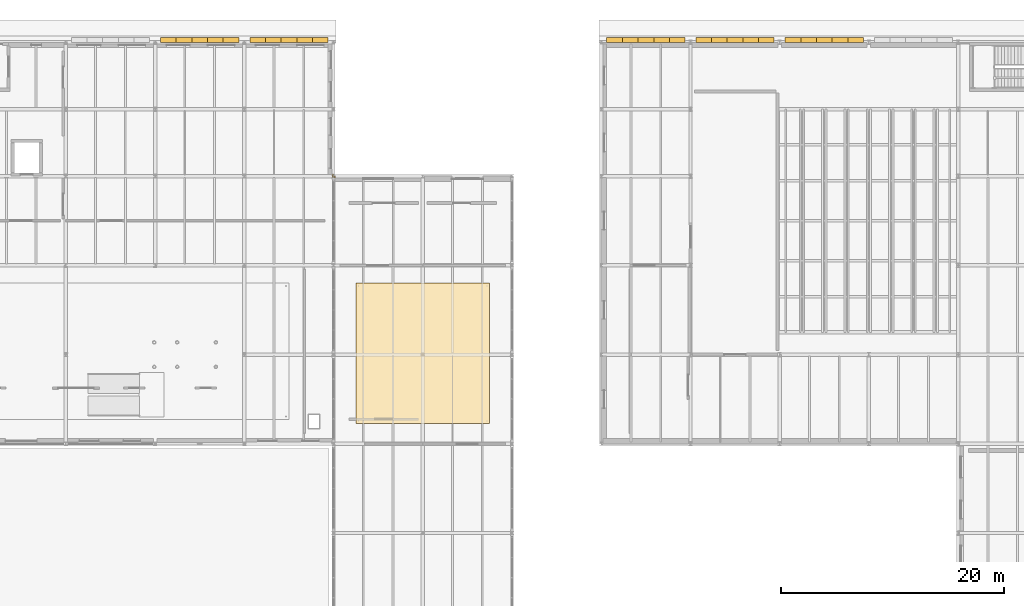
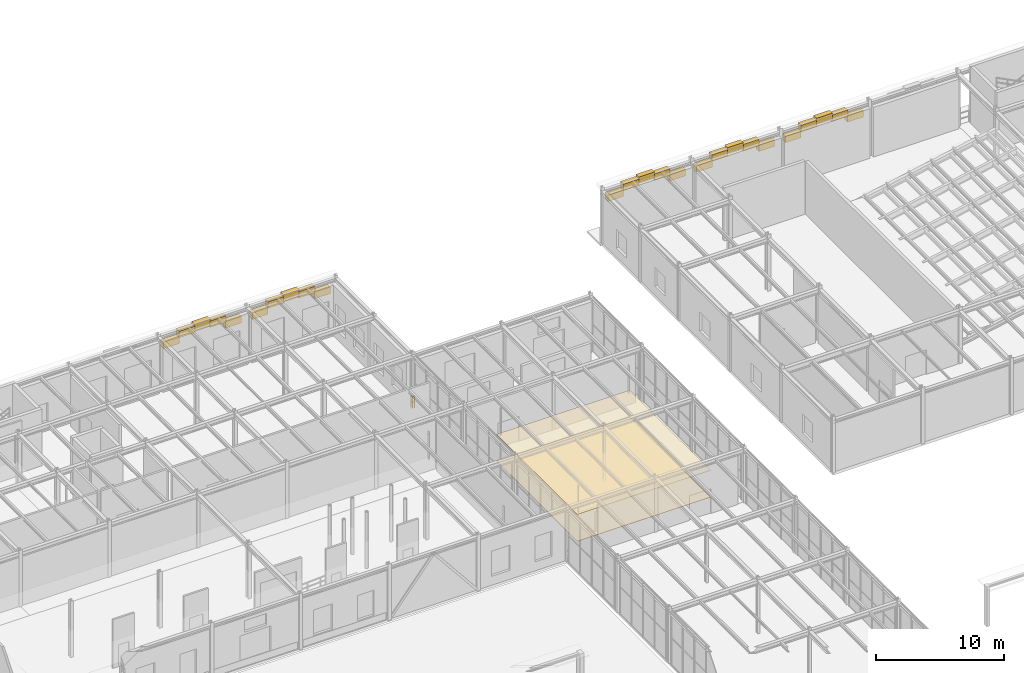
# One storey, part 121 of 129: 27 coverings, 1 railing.
"""IFC4 building model written with IfcOpenShell, lengths in metres."""

import ifcopenshell
import ifcopenshell.guid

model = None  # the IFC model being written
_history = None  # IfcOwnerHistory: only IFC2X3 demands one
_inside = {}  # id of a spatial element -> (the spatial element, [elements in it])
_under = {}  # id of a project, library or spatial element -> (it, [spatial elements below it])
_declared = {}  # id of a project -> (the project, [libraries it declares])
_typed = {}  # id of a type object -> (the type object, [elements of that type])
_made_of = {}  # id of a material, layer set ... -> (it, [elements and type objects made of it])


def new_model(schema):
    """Start an empty IFC model of exactly this schema.

    Asked for "IFC4X3", IfcOpenShell would pick the latest addendum, in which some entities
    have other attributes; the version numbers below select the first issue.
    IFC2X3 requires an IfcOwnerHistory on every rooted entity: one is made here for all.
    """
    global model, _history
    if schema == "IFC4X3":
        model = ifcopenshell.file(schema_version=(4, 3, 0, 0))
    else:
        model = ifcopenshell.file(schema=schema)
    _inside.clear()
    _under.clear()
    _declared.clear()
    _typed.clear()
    _made_of.clear()
    _history = None
    if model.schema == "IFC2X3":
        org = make("IfcOrganization", Name="unknown")
        user = make(
            "IfcPersonAndOrganization",
            ThePerson=make("IfcPerson", FamilyName="unknown"),
            TheOrganization=org,
        )
        app = make(
            "IfcApplication",
            ApplicationDeveloper=org,
            Version="unknown",
            ApplicationFullName="unknown",
            ApplicationIdentifier="unknown",
        )
        _history = make(
            "IfcOwnerHistory",
            OwningUser=user,
            OwningApplication=app,
            ChangeAction="ADDED",
            CreationDate=0,
        )
    return model


def make(cls, **values):
    """One entity of the class cls with the attributes given. An attribute that is None is left unset."""
    return model.create_entity(
        cls, **{name: value for name, value in values.items() if value is not None}
    )


def rooted(cls, **values):
    """An entity with a GlobalId (a new one), such as an element, a storey or a relation."""
    return make(cls, GlobalId=ifcopenshell.guid.new(), OwnerHistory=_history, **values)


def si_unit(unit_type, name, prefix=None):
    """IfcSIUnit, for example si_unit("LENGTHUNIT", "METRE", prefix="MILLI")."""
    return make("IfcSIUnit", UnitType=unit_type, Prefix=prefix, Name=name)


def assignment(units):
    """IfcUnitAssignment: the units of a project."""
    return None if units is None else make("IfcUnitAssignment", Units=units)


def point(xyz):
    """IfcCartesianPoint."""
    return None if xyz is None else make("IfcCartesianPoint", Coordinates=xyz)


def direction(xyz):
    """IfcDirection."""
    return None if xyz is None else make("IfcDirection", DirectionRatios=xyz)


def frame(location, z_axis=None, x_axis=None):
    """IfcAxis2Placement3D, a coordinate frame: its origin and axes. An axis left out is left unset."""
    return make(
        "IfcAxis2Placement3D",
        Location=point(location),
        Axis=direction(z_axis),
        RefDirection=direction(x_axis),
    )


def frame_2d(location, x_axis=None):
    """IfcAxis2Placement2D, a coordinate frame in the plane: its origin and x axis."""
    return make(
        "IfcAxis2Placement2D", Location=point(location), RefDirection=direction(x_axis)
    )


def origin():
    """The frame at (0, 0, 0) with its axes left unset."""
    return frame((0.0, 0.0, 0.0))


def origin_2d():
    """The frame at (0, 0) in the plane with its x axis left unset."""
    return frame_2d((0.0, 0.0))


def place(relative_to, where):
    """IfcLocalPlacement: puts the frame where relative to a parent placement (None: the world)."""
    return make(
        "IfcLocalPlacement", PlacementRelTo=relative_to, RelativePlacement=where
    )


def context(
    kind, dimensions, precision=None, world=None, true_north=None, identifier=None
):
    """IfcGeometricRepresentationContext, for example the 3D "Model" context."""
    return make(
        "IfcGeometricRepresentationContext",
        ContextIdentifier=identifier,
        ContextType=kind,
        CoordinateSpaceDimension=dimensions,
        Precision=precision,
        WorldCoordinateSystem=world,
        TrueNorth=true_north,
    )


def subcontext(parent, identifier, kind, view, scale=None):
    """IfcGeometricRepresentationSubContext, for example "Body" below "Model"."""
    return make(
        "IfcGeometricRepresentationSubContext",
        ContextIdentifier=identifier,
        ContextType=kind,
        ParentContext=parent,
        TargetScale=scale,
        TargetView=view,
    )


def project(units=None, contexts=None):
    """IfcProject with its units and contexts."""
    return rooted(
        "IfcProject",
        Name="project",
        RepresentationContexts=contexts,
        UnitsInContext=assignment(units),
    )


def spatial(cls, under=None, at=None, **own):
    """A site, building, storey or space (cls), placed at a placement, below another one or the project."""
    s = rooted(cls, ObjectPlacement=at, **own)
    if under is not None:
        _under.setdefault(under.id(), (under, []))[1].append(s)
    return s


def polyline(points):
    """IfcPolyline through the points."""
    return make("IfcPolyline", Points=[point(p) for p in points])


def profile(cls, at=None, kind="AREA", **sizes):
    """A parametric profile (cls). Its sizes go by their IFC names, for example OverallWidth=200.0."""
    return make(cls, ProfileType=kind, Position=at, **sizes)


def rectangle(**sizes):
    """IfcRectangleProfileDef."""
    return profile("IfcRectangleProfileDef", **sizes)


def circle(**sizes):
    """IfcCircleProfileDef."""
    return profile("IfcCircleProfileDef", **sizes)


def outline(outer, holes=None, kind="AREA"):
    """IfcArbitraryClosedProfileDef: a profile drawn as a closed curve; with holes, ...WithVoids."""
    if holes is None:
        return make("IfcArbitraryClosedProfileDef", ProfileType=kind, OuterCurve=outer)
    return make(
        "IfcArbitraryProfileDefWithVoids",
        ProfileType=kind,
        OuterCurve=outer,
        InnerCurves=holes,
    )


def extrude(swept, where, along, depth):
    """IfcExtrudedAreaSolid: the profile swept, set in the frame where, extruded along a direction by depth."""
    return make(
        "IfcExtrudedAreaSolid",
        SweptArea=swept,
        Position=where,
        ExtrudedDirection=direction(along),
        Depth=depth,
    )


def shape(context_of_items, identifier, shape_type, items):
    """IfcShapeRepresentation: the items that make up one representation, for example the "Body"."""
    return make(
        "IfcShapeRepresentation",
        ContextOfItems=context_of_items,
        RepresentationIdentifier=identifier,
        RepresentationType=shape_type,
        Items=items,
    )


def material(Name=None, Category=None):
    """IfcMaterial."""
    return make("IfcMaterial", Name=Name, Category=Category)


def layer(
    of_material, thickness, ventilated=None, Name=None, Category=None, Priority=None
):
    """IfcMaterialLayer: one layer of a wall or slab, of a material (None: an air gap)."""
    return make(
        "IfcMaterialLayer",
        Material=of_material,
        LayerThickness=thickness,
        IsVentilated=ventilated,
        Name=Name,
        Category=Category,
        Priority=Priority,
    )


def layer_set(layers, Name=None):
    """IfcMaterialLayerSet."""
    return make("IfcMaterialLayerSet", MaterialLayers=layers, LayerSetName=Name)


def made_of(thing, what):
    """Note that an element or type object is made of a material, layer set ...; save() writes the relation."""
    if what is not None:
        _made_of.setdefault(what.id(), (what, []))[1].append(thing)
    return thing


def type_object(cls, material=None, **own):
    """A type object (cls), such as IfcWallType, which elements share."""
    return made_of(rooted(cls, **own), material)


def element(
    cls,
    number,
    at=None,
    inside=None,
    cuts=None,
    type_object=None,
    material=None,
    context=None,
    identifier="Body",
    shape_type=None,
    held_by="IfcProductDefinitionShape",
    body=None,
    shapes=None,
    **own,
):
    """One element of the class cls, such as IfcWall. Its Tag is "e" and its number.

    at: its placement. inside: the storey or other place that contains it. cuts: it is an
    opening in that element (IfcRelVoidsElement). A single representation is given by context,
    identifier, shape_type and body (its items); several are given by shapes. held_by: the class
    of the entity that holds the representations. save() writes the other relations.
    """
    e = rooted(cls, Tag="e%d" % number, ObjectPlacement=at, **own)
    if body is not None:
        shapes = [shape(context, identifier, shape_type, body)]
    if shapes is not None:
        e.Representation = make(held_by, Representations=shapes)
    if inside is not None:
        _inside.setdefault(inside.id(), (inside, []))[1].append(e)
    if cuts is not None:
        rooted(
            "IfcRelVoidsElement", RelatingBuildingElement=cuts, RelatedOpeningElement=e
        )
    if type_object is not None:
        _typed.setdefault(type_object.id(), (type_object, []))[1].append(e)
    return made_of(e, material)


def aggregate(whole, parts):
    """IfcRelAggregates: a whole, such as a stair, and the parts it consists of."""
    return rooted("IfcRelAggregates", RelatingObject=whole, RelatedObjects=parts)


def save(model, path):
    """Write the relations noted so far, then the file.

    IfcRelAggregates (storeys below a building ...), IfcRelContainedInSpatialStructure (elements
    in a storey), IfcRelDefinesByType, IfcRelAssociatesMaterial and IfcRelDeclares: one each for
    every whole, place, type object, material and project.
    """
    for whole, parts in _under.values():
        aggregate(whole, parts)
    for where, things in _inside.values():
        rooted(
            "IfcRelContainedInSpatialStructure",
            RelatedElements=things,
            RelatingStructure=where,
        )
    for kind, things in _typed.values():
        rooted("IfcRelDefinesByType", RelatedObjects=things, RelatingType=kind)
    for what, things in _made_of.values():
        rooted("IfcRelAssociatesMaterial", RelatedObjects=things, RelatingMaterial=what)
    for by, libraries in _declared.values():
        rooted("IfcRelDeclares", RelatingContext=by, RelatedDefinitions=libraries)
    model.write(path)


model = new_model("IFC4")

# Units and contexts
model_context = context("Model", 3, precision=1e-05, world=origin(), true_north=direction((0.0, 1.0)))
body_context = subcontext(model_context, "Body", "Model", "MODEL_VIEW")
ifc_project = project(units=[si_unit("LENGTHUNIT", "METRE"), si_unit("AREAUNIT", "SQUARE_METRE"), si_unit("VOLUMEUNIT", "CUBIC_METRE"), si_unit("PLANEANGLEUNIT", "RADIAN"), si_unit("MASSUNIT", "GRAM", prefix="KILO")], contexts=[model_context])

# Site, building, storey
site_placement = place(None, origin())
site = spatial("IfcSite", under=ifc_project, at=site_placement, CompositionType="ELEMENT")
building_placement = place(site_placement, origin())
building = spatial("IfcBuilding", under=site, at=building_placement, Name="Sundkrona Museum", CompositionType="ELEMENT")
storey_placement = place(building_placement, origin())
storey = spatial("IfcBuildingStorey", under=building, at=storey_placement, Name="L00", CompositionType="ELEMENT", Elevation=0.0)

# Coverings
ifc_material_1 = material(Name="Perforated Acoustic Gypsum and Mineral Wool Ceiling", Category="other")
ifc_layer_1 = layer(ifc_material_1, 0.0400390625)
ifc_layer_set_1 = layer_set([ifc_layer_1], Name="Perforated Acoustic Gypsum and Mineral Wool Ceiling")
covering_type_1 = type_object("IfcCoveringType", Name="COV-CEIL-AC", PredefinedType="CEILING", material=ifc_layer_set_1)
covering_1_placement = place(storey_placement, frame((0.0, 0.0, 2.550048828125)))
element("IfcCovering", 1, at=covering_1_placement, inside=storey, type_object=covering_type_1, Name="L00 Public Natural History Study Room Acoustic Ceiling", PredefinedType="CEILING", context=body_context, shape_type="SweptSolid", body=[
    extrude(outline(polyline([(82.0, 79.800048828125), (94.0, 79.800048828125), (94.0, 92.39990234375), (82.0, 92.39990234375), (82.0, 79.800048828125)])), origin(), (0.0, 0.0, 1.0), 0.0400390625),
])
ifc_material_2 = material(Name="Frost-Resistant Vitrified Stoneware Mosaic Cladding", Category="masonry")
ifc_layer_2 = layer(ifc_material_2, 0.044921875)
ifc_layer_set_2 = layer_set([ifc_layer_2], Name="Frost-Resistant Vitrified Stoneware Mosaic Cladding")
covering_type_2 = type_object("IfcCoveringType", Name="COV-CLD-MOS", PredefinedType="CLADDING", material=ifc_layer_set_2)
for number, where, z_axis, x_axis, name in (
    (2, (65.199951171875, 114.219970703125, 3.75390625), (0.0, 0.0, 1.0), (1.0, 0.0, 0.0), "Catalan Modernisme Parabolic Arch Voussoir NA-071"),
    (3, (66.60009765625, 114.219970703125, 4.305908203125), (0.0, 0.0, 1.0), (1.0, 0.0, 0.0), "Catalan Modernisme Parabolic Arch Voussoir NA-072"),
    (4, (68.0, 114.219970703125, 4.489990234375), (0.0, 0.0, 1.0), (1.0, 0.0, 0.0), "Catalan Modernisme Parabolic Arch Voussoir NA-073"),
    (5, (69.39990234375, 114.219970703125, 4.305908203125), (0.0, 0.0, 1.0), (1.0, 0.0, 0.0), "Catalan Modernisme Parabolic Arch Voussoir NA-074"),
    (6, (70.800048828125, 114.219970703125, 3.75390625), (0.0, 0.0, 1.0), (1.0, 0.0, 0.0), "Catalan Modernisme Parabolic Arch Voussoir NA-075"),
    (7, (73.199951171875, 114.219970703125, 3.75390625), (0.0, 0.0, 1.0), (1.0, 0.0, 0.0), "Catalan Modernisme Parabolic Arch Voussoir NA-076"),
    (8, (74.60009765625, 114.219970703125, 4.305908203125), (0.0, 0.0, 1.0), (1.0, 0.0, 0.0), "Catalan Modernisme Parabolic Arch Voussoir NA-077"),
    (9, (76.0, 114.219970703125, 4.489990234375), (0.0, 0.0, 1.0), (1.0, 0.0, 0.0), "Catalan Modernisme Parabolic Arch Voussoir NA-078"),
    (10, (77.39990234375, 114.219970703125, 4.305908203125), (0.0, 0.0, 1.0), (1.0, 0.0, 0.0), "Catalan Modernisme Parabolic Arch Voussoir NA-079"),
    (11, (78.800048828125, 114.219970703125, 3.75390625), (0.0, 0.0, 1.0), (1.0, 0.0, 0.0), "Catalan Modernisme Parabolic Arch Voussoir NA-080"),
    (12, (105.199951171875, 114.219970703125, 3.75390625), (0.0, 0.0, 1.0), (1.0, 0.0, 0.0), "Catalan Modernisme Parabolic Arch Voussoir NA-081"),
    (13, (106.60009765625, 114.219970703125, 4.305908203125), (0.0, 0.0, 1.0), (1.0, 0.0, 0.0), "Catalan Modernisme Parabolic Arch Voussoir NA-082"),
    (14, (108.0, 114.219970703125, 4.489990234375), (0.0, 0.0, 1.0), (1.0, 0.0, 0.0), "Catalan Modernisme Parabolic Arch Voussoir NA-083"),
    (15, (109.39990234375, 114.219970703125, 4.305908203125), (0.0, 0.0, 1.0), (1.0, 0.0, 0.0), "Catalan Modernisme Parabolic Arch Voussoir NA-084"),
    (16, (110.800048828125, 114.219970703125, 3.75390625), (0.0, 0.0, 1.0), (1.0, 0.0, 0.0), "Catalan Modernisme Parabolic Arch Voussoir NA-085"),
    (17, (113.199951171875, 114.219970703125, 3.75390625), (0.0, 0.0, 1.0), (1.0, 0.0, 0.0), "Catalan Modernisme Parabolic Arch Voussoir NA-086"),
    (18, (114.60009765625, 114.219970703125, 4.305908203125), (0.0, 0.0, 1.0), (1.0, 0.0, 0.0), "Catalan Modernisme Parabolic Arch Voussoir NA-087"),
    (19, (116.0, 114.219970703125, 4.489990234375), (0.0, 0.0, 1.0), (1.0, 0.0, 0.0), "Catalan Modernisme Parabolic Arch Voussoir NA-088"),
    (20, (117.39990234375, 114.219970703125, 4.305908203125), (0.0, 0.0, 1.0), (1.0, 0.0, 0.0), "Catalan Modernisme Parabolic Arch Voussoir NA-089"),
    (21, (118.800048828125, 114.219970703125, 3.75390625), (0.0, 0.0, 1.0), (1.0, 0.0, 0.0), "Catalan Modernisme Parabolic Arch Voussoir NA-090"),
    (22, (121.199951171875, 114.219970703125, 3.75390625), (0.0, 0.0, 1.0), (1.0, 0.0, 0.0), "Catalan Modernisme Parabolic Arch Voussoir NA-091"),
    (23, (122.60009765625, 114.219970703125, 4.305908203125), (0.0, 0.0, 1.0), (1.0, 0.0, 0.0), "Catalan Modernisme Parabolic Arch Voussoir NA-092"),
    (24, (124.0, 114.219970703125, 4.489990234375), (0.0, 0.0, 1.0), (1.0, 0.0, 0.0), "Catalan Modernisme Parabolic Arch Voussoir NA-093"),
    (25, (125.39990234375, 114.219970703125, 4.305908203125), (0.0, 0.0, 1.0), (1.0, 0.0, 0.0), "Catalan Modernisme Parabolic Arch Voussoir NA-094"),
    (26, (126.800048828125, 114.219970703125, 3.75390625), (0.0, 0.0, 1.0), (1.0, 0.0, 0.0), "Catalan Modernisme Parabolic Arch Voussoir NA-095"),
):
    element("IfcCovering", number, at=place(storey_placement, frame(where, z_axis=z_axis, x_axis=x_axis)), inside=storey, type_object=covering_type_2, Name=name, PredefinedType="CLADDING", context=body_context, shape_type="SweptSolid", body=[
        extrude(rectangle(XDim=1.419921875, YDim=0.4599609375, at=origin_2d()), origin(), (0.0, 0.0, 1.0), 0.6201171875),
    ])
ifc_material_3 = material(Name="Polished Scanian Limestone Terrazzo Flooring", Category="masonry")
ifc_layer_3 = layer(ifc_material_3, 0.034912109375)
ifc_layer_set_3 = layer_set([ifc_layer_3], Name="Polished Scanian Limestone Terrazzo Flooring")
covering_type_3 = type_object("IfcCoveringType", Name="COV-FLR-TZ", PredefinedType="FLOORING", material=ifc_layer_set_3)
covering_2_placement = place(storey_placement, origin())
element("IfcCovering", 27, at=covering_2_placement, inside=storey, type_object=covering_type_3, Name="L00 Public Natural History Study Room Terrazzo Flooring", PredefinedType="FLOORING", context=body_context, shape_type="SweptSolid", body=[
    extrude(outline(polyline([(82.0, 79.800048828125), (94.0, 79.800048828125), (94.0, 92.39990234375), (82.0, 92.39990234375), (82.0, 79.800048828125)])), origin(), (0.0, 0.0, 1.0), 0.034912109375),
])

# Railing
ifc_material_4 = material(Name="Painted Steel S355J2 and Laminated Glass Balustrade", Category="steel")
railing_type = type_object("IfcRailingType", Name="RL-GUARD-1100", PredefinedType="BALUSTRADE", material=ifc_material_4)
railing_placement = place(storey_placement, frame((79.93994140625, 102.14208984375, 0.0)))
element("IfcRailing", 28, at=railing_placement, inside=storey, type_object=railing_type, Name="L00 Edge Protection Balustrade 010", PredefinedType="BALUSTRADE", context=body_context, shape_type="SweptSolid", body=[
    extrude(circle(Radius=0.02392578125, at=origin_2d()), frame((0.0, 0.0, 1.09619140625), z_axis=(0.0, -1.0, 0.0), x_axis=(1.0, 0.0, 0.0)), (0.0, 0.0, 1.0), 0.2021484375),
    extrude(circle(Radius=0.02392578125, at=origin_2d()), frame((0.0, 0.0, 0.56005859375), z_axis=(0.0, -1.0, 0.0), x_axis=(1.0, 0.0, 0.0)), (0.0, 0.0, 1.0), 0.2021484375),
    extrude(circle(Radius=0.02392578125, at=origin_2d()), frame((0.0, -0.2021484375, 1.09619140625), z_axis=(1.0, 0.0, 0.0), x_axis=(0.0, 1.0, 0.0)), (0.0, 0.0, 1.0), 0.2021484375),
    extrude(circle(Radius=0.02392578125, at=origin_2d()), frame((0.0, -0.2021484375, 0.56005859375), z_axis=(1.0, 0.0, 0.0), x_axis=(0.0, 1.0, 0.0)), (0.0, 0.0, 1.0), 0.2021484375),
    extrude(circle(Radius=0.02099609375, at=origin_2d()), origin(), (0.0, 0.0, 1.0), 1.072021484375),
    extrude(circle(Radius=0.02099609375, at=origin_2d()), frame((0.0, -0.2021484375, 0.0)), (0.0, 0.0, 1.0), 1.072021484375),
    extrude(circle(Radius=0.02099609375, at=origin_2d()), frame((0.2021484375, -0.2021484375, 0.0)), (0.0, 0.0, 1.0), 1.072021484375),
])

save(model, "model.ifc")
